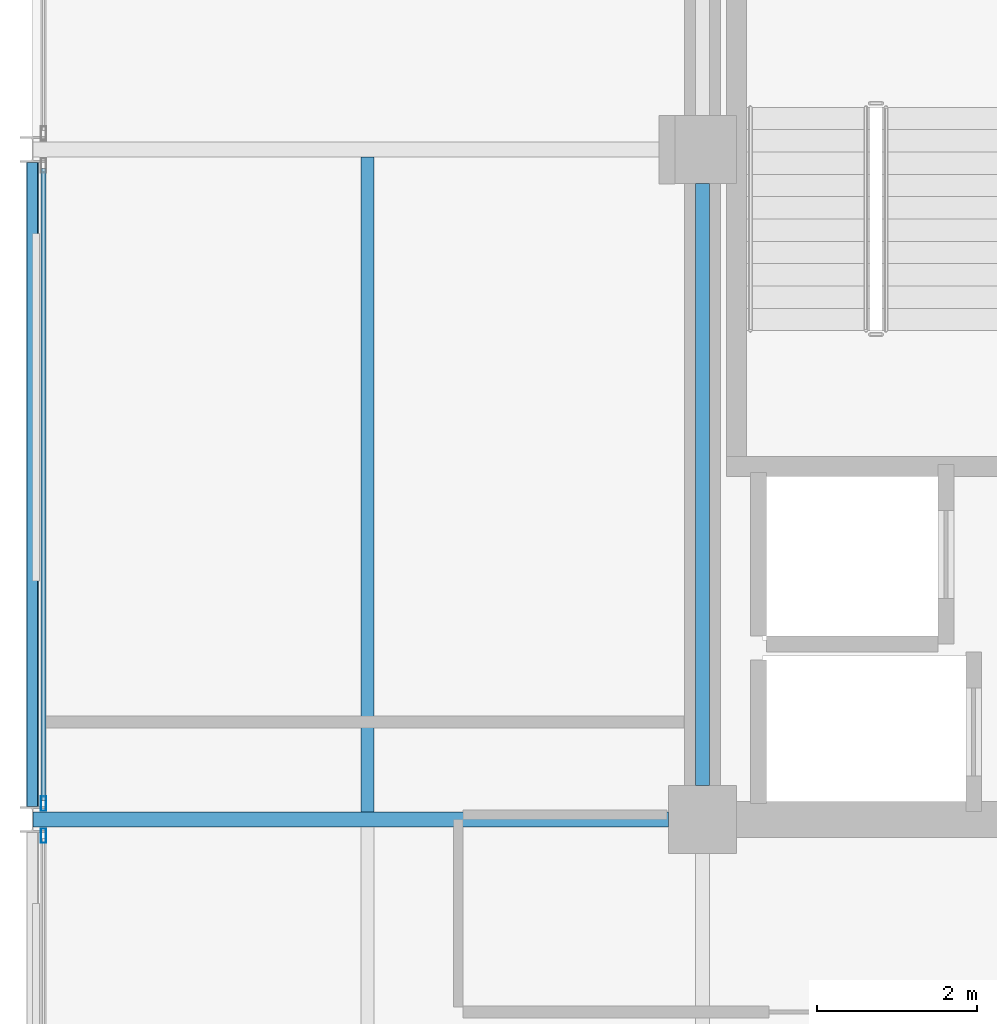
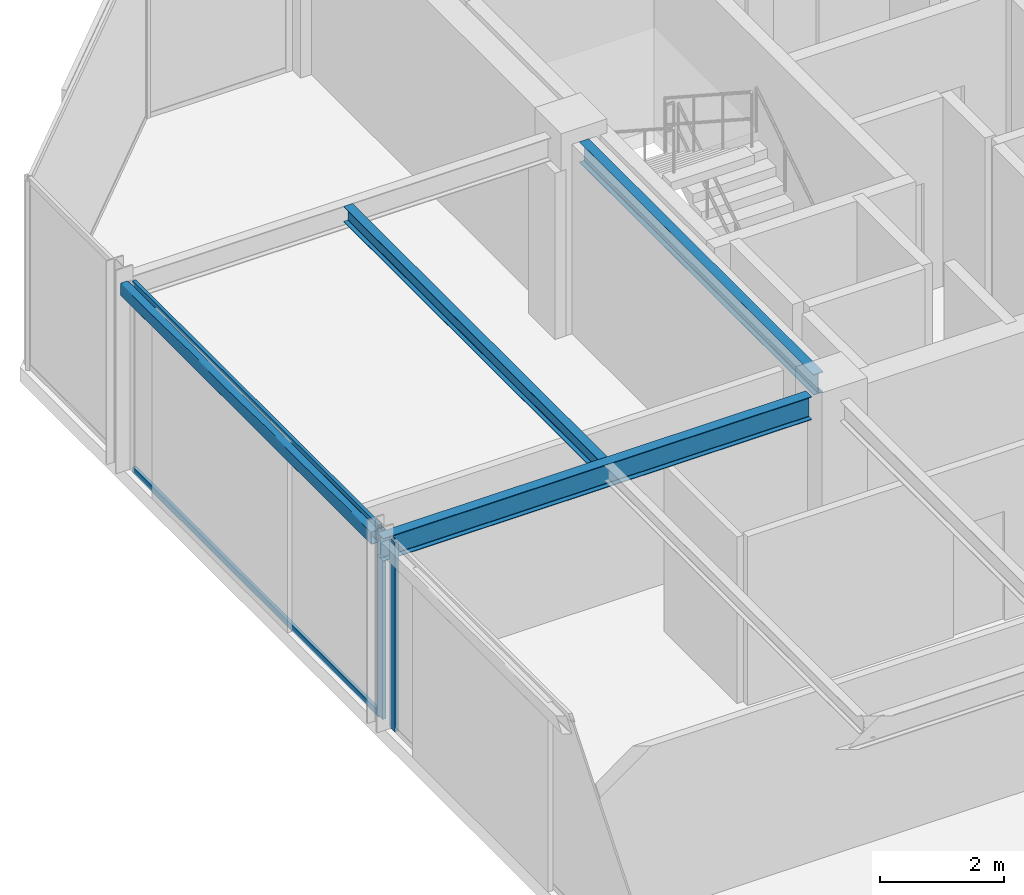
# One storey, part 11 of 24: 4 beams, 4 members, 2 elements without a shape of their own.
"""IFC4 building model written with IfcOpenShell, lengths in metres."""

from ifc_helpers import new_model, si_unit, direction, frame, origin, origin_2d, place, context, subcontext, project, spatial, hollow_rectangle, i_section, extrude, material, layer, layer_set, material_profile, profile_set, type_object, element, aggregate, save


model = new_model("IFC4")

# Units and contexts
model_context = context("Model", 3, precision=1e-05, world=origin(), true_north=direction((0.0, 1.0)))
body_context = subcontext(model_context, "Body", "Model", "MODEL_VIEW")
ifc_project = project(units=[si_unit("LENGTHUNIT", "METRE"), si_unit("AREAUNIT", "SQUARE_METRE"), si_unit("VOLUMEUNIT", "CUBIC_METRE"), si_unit("PLANEANGLEUNIT", "RADIAN"), si_unit("MASSUNIT", "GRAM", prefix="KILO")], contexts=[model_context])

# Site, building, storey
site_placement = place(None, origin())
site = spatial("IfcSite", under=ifc_project, at=site_placement, CompositionType="ELEMENT")
building_placement = place(site_placement, origin())
building = spatial("IfcBuilding", under=site, at=building_placement, Name="Nerrivon Quay Data Exchange", CompositionType="ELEMENT")
storey_placement = place(building_placement, frame((0.0, 0.0, 298.199951171875)))
storey = spatial("IfcBuildingStorey", under=building, at=storey_placement, Name="L71", CompositionType="ELEMENT", Elevation=298.199951171875)

# Beams
ifc_material_1 = material(Name="Steel Grade 350", Category="steel")
ifc_material_profile_1 = material_profile(ifc_material_1, i_section(OverallWidth=0.18994140625, OverallDepth=0.4541015625, WebThickness=0.008544921875, FlangeThickness=0.0126953125, FilletRadius=0.011474609375, at=origin_2d()), Name="460UB67.1")
ifc_profile_set_1 = profile_set([ifc_material_profile_1], Name="Steel Grade 350")
beam_type_1 = type_object("IfcBeamType", Name="BM-G6-460UB67", PredefinedType="BEAM", material=ifc_profile_set_1)
beam_1_placement = place(storey_placement, frame((0.0078125, 25.199951171875, 3.498046875), z_axis=(1.0, 0.0, 0.0), x_axis=(0.0, 1.0, 0.0)))
element("IfcBeam", 1, at=beam_1_placement, inside=storey, type_object=beam_type_1, Name="L71 EW Girder Y=25.2 (0.0..8.4)", PredefinedType="BEAM", context=body_context, shape_type="SweptSolid", body=[
    extrude(i_section(OverallWidth=0.18994140625, OverallDepth=0.4541015625, WebThickness=0.008544921875, FlangeThickness=0.0126953125, FilletRadius=0.011474609375, at=origin_2d()), origin(), (0.0, 0.0, 1.0), 7.96728515625),
])
ifc_material_profile_2 = material_profile(ifc_material_1, i_section(OverallWidth=0.177978515625, OverallDepth=0.406005859375, WebThickness=0.0078125, FlangeThickness=0.0126953125, FilletRadius=0.011474609375, at=origin_2d()), Name="410UB59.7")
ifc_profile_set_2 = profile_set([ifc_material_profile_2], Name="Steel Grade 350")
beam_type_2 = type_object("IfcBeamType", Name="BM-J1-410UB60", PredefinedType="JOIST", material=ifc_profile_set_2)
beam_2_placement = place(storey_placement, frame((8.39990234375, 25.625, 3.52197265625), z_axis=(0.0, 1.0, 0.0), x_axis=(-1.0, 0.0, 0.0)))
element("IfcBeam", 2, at=beam_2_placement, inside=storey, type_object=beam_type_2, Name="L71 NS Girder X=8.4 (25.2..33.6)", PredefinedType="JOIST", context=body_context, shape_type="SweptSolid", body=[
    extrude(i_section(OverallWidth=0.177978515625, OverallDepth=0.406005859375, WebThickness=0.0078125, FlangeThickness=0.0126953125, FilletRadius=0.011474609375, at=origin_2d()), origin(), (0.0, 0.0, 1.0), 7.550048828125),
])
ifc_material_profile_3 = material_profile(ifc_material_1, i_section(OverallWidth=0.1650390625, OverallDepth=0.303955078125, WebThickness=0.006103515625, FlangeThickness=0.01025390625, FilletRadius=0.011474609375, at=origin_2d()), Name="310UB40.4")
ifc_profile_set_3 = profile_set([ifc_material_profile_3], Name="Steel Grade 350")
beam_type_3 = type_object("IfcBeamType", Name="BM-J6-310UB40", PredefinedType="JOIST", material=ifc_profile_set_3)
beam_3_placement = place(storey_placement, frame((4.199951171875, 25.294921875, 3.572998046875), z_axis=(0.0, 1.0, 0.0), x_axis=(-1.0, 0.0, 0.0)))
element("IfcBeam", 3, at=beam_3_placement, inside=storey, type_object=beam_type_3, Name="L71 Secondary Joist X=4.2 (25.2..33.6)", PredefinedType="JOIST", context=body_context, shape_type="SweptSolid", body=[
    extrude(i_section(OverallWidth=0.1650390625, OverallDepth=0.303955078125, WebThickness=0.006103515625, FlangeThickness=0.01025390625, FilletRadius=0.011474609375, at=origin_2d()), origin(), (0.0, 0.0, 1.0), 8.2099609375),
])
ifc_material_2 = material(Name="Steel Grade C350L0 (350 MPa)", Category="steel")
ifc_material_profile_4 = material_profile(ifc_material_2, hollow_rectangle(XDim=0.14990234375, YDim=0.25, WallThickness=0.009033203125, InnerFilletRadius=0.013427734375, OuterFilletRadius=0.0224609375, at=origin_2d()), Name="250x150x9.0RHS")
ifc_profile_set_4 = profile_set([ifc_material_profile_4], Name="Steel Grade C350L0 (350 MPa)")
beam_type_4 = type_object("IfcBeamType", Name="BM-SP4-250x150RHS", PredefinedType="SPANDREL", material=ifc_profile_set_4)
beam_4_placement = place(storey_placement, frame((0.0, 25.363525390625, 3.60009765625), z_axis=(0.0, 1.0, 0.0), x_axis=(-1.0, 0.0, 0.0)))
element("IfcBeam", 4, at=beam_4_placement, inside=storey, type_object=beam_type_4, Name="L71 NS Girder X=0.0 (25.2..33.6)", PredefinedType="SPANDREL", context=body_context, shape_type="SweptSolid", body=[
    extrude(hollow_rectangle(XDim=0.14990234375, YDim=0.25, WallThickness=0.009033203125, InnerFilletRadius=0.013427734375, OuterFilletRadius=0.0224609375, at=origin_2d()), origin(), (0.0, 0.0, 1.0), 8.072998046875),
])

# Curtain wall, member
ifc_material_3 = material(Name="Anodised aluminium 6063-T6", Category="aluminium")
ifc_layer = layer(ifc_material_3, 0.195068359375)
ifc_layer_set = layer_set([ifc_layer], Name="Anodised aluminium 6063-T6")
curtain_wall_type = type_object("IfcCurtainWallType", Name="CW-SYS-06", PredefinedType="NOTDEFINED", material=ifc_layer_set)
curtain_wall_1_placement = place(storey_placement, origin())
curtain_wall_1 = element("IfcCurtainWall", 5, at=curtain_wall_1_placement, inside=storey, type_object=curtain_wall_type, Name="L71 Unitised Curtain Wall 10", PredefinedType="NOTDEFINED")
ifc_material_profile_5 = material_profile(ifc_material_3, hollow_rectangle(XDim=0.06494140625, YDim=0.179931640625, WallThickness=0.00341796875, at=origin_2d()), Name="ALU-MULL-180x65")
ifc_profile_set_5 = profile_set([ifc_material_profile_5], Name="Anodised aluminium 6063-T6")
member_type_1 = type_object("IfcMemberType", Name="CWM-180x65", PredefinedType="MULLION", material=ifc_profile_set_5)
member_1_placement = place(storey_placement, frame((0.139892578125, 24.9990234375, 0.0), z_axis=(0.0, 0.0, 1.0), x_axis=(-1.0, 0.0, 0.0)))
member_1 = element("IfcMember", 6, at=member_1_placement, type_object=member_type_1, Name="CW06 mullion 2", PredefinedType="MULLION", context=body_context, shape_type="SweptSolid", body=[
    extrude(hollow_rectangle(XDim=0.06494140625, YDim=0.179931640625, WallThickness=0.00341796875, at=origin_2d()), origin(), (0.0, 0.0, 1.0), 3.72509765625),
])
aggregate(curtain_wall_1, [member_1])

# Curtain wall, members
curtain_wall_2_placement = place(storey_placement, origin())
curtain_wall_2 = element("IfcCurtainWall", 7, at=curtain_wall_2_placement, inside=storey, type_object=curtain_wall_type, Name="L71 Unitised Curtain Wall 11", PredefinedType="NOTDEFINED")
member_2_placement = place(storey_placement, frame((0.139892578125, 25.40087890625, 0.0), z_axis=(0.0, 0.0, 1.0), x_axis=(-1.0, 0.0, 0.0)))
member_2 = element("IfcMember", 8, at=member_2_placement, type_object=member_type_1, Name="CW06 mullion 1", PredefinedType="MULLION", context=body_context, shape_type="SweptSolid", body=[
    extrude(hollow_rectangle(XDim=0.06494140625, YDim=0.179931640625, WallThickness=0.00341796875, at=origin_2d()), origin(), (0.0, 0.0, 1.0), 3.72509765625),
])
ifc_material_profile_6 = material_profile(ifc_material_3, hollow_rectangle(XDim=0.06005859375, YDim=0.1201171875, WallThickness=0.003173828125, at=origin_2d()), Name="ALU-TRAN-120x60")
ifc_profile_set_6 = profile_set([ifc_material_profile_6], Name="Anodised aluminium 6063-T6")
member_type_2 = type_object("IfcMemberType", Name="CWT-120x60", PredefinedType="USERDEFINED", material=ifc_profile_set_6)
member_3_placement = place(storey_placement, frame((0.139892578125, 25.4384765625, 0.032470703125), z_axis=(0.0, 1.0, 0.0), x_axis=(-1.0, 0.0, 0.0)))
member_3 = element("IfcMember", 9, at=member_3_placement, type_object=member_type_2, Name="CW06 transom 1.1", ObjectType="TRANSOM", PredefinedType="USERDEFINED", context=body_context, shape_type="SweptSolid", body=[
    extrude(hollow_rectangle(XDim=0.06005859375, YDim=0.1201171875, WallThickness=0.003173828125, at=origin_2d()), origin(), (0.0, 0.0, 1.0), 7.923095703125),
])
member_4_placement = place(storey_placement, frame((0.139892578125, 25.4384765625, 3.692626953125), z_axis=(0.0, 1.0, 0.0), x_axis=(-1.0, 0.0, 0.0)))
member_4 = element("IfcMember", 10, at=member_4_placement, type_object=member_type_2, Name="CW06 transom 1.2", ObjectType="TRANSOM", PredefinedType="USERDEFINED", context=body_context, shape_type="SweptSolid", body=[
    extrude(hollow_rectangle(XDim=0.06005859375, YDim=0.1201171875, WallThickness=0.003173828125, at=origin_2d()), origin(), (0.0, 0.0, 1.0), 7.923095703125),
])
aggregate(curtain_wall_2, [member_2, member_3, member_4])

save(model, "model.ifc")
